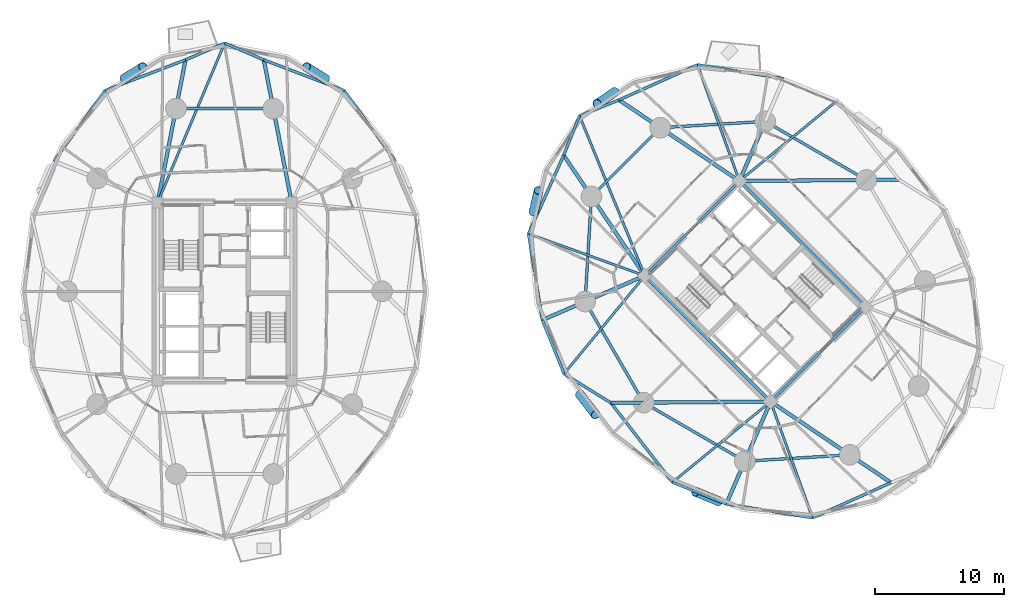
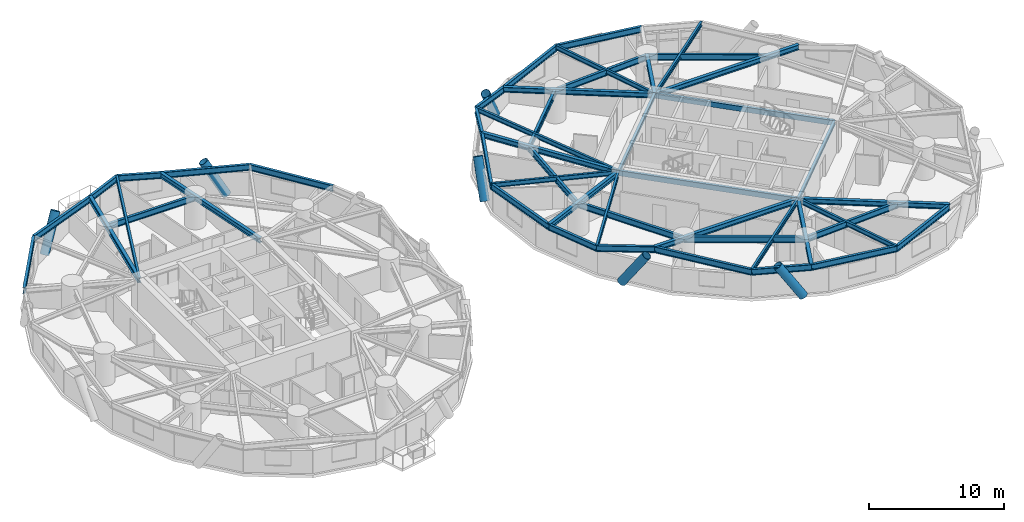
# One storey, part 5 of 19: 49 beams, 6 members.
"""IFC4 building model written with IfcOpenShell, lengths in metres."""

from ifc_helpers import new_model, si_unit, direction, frame, origin, origin_2d, place, context, subcontext, project, spatial, hollow_rectangle, hollow_circle, i_section, extrude, material, material_profile, profile_set, type_object, element, save


model = new_model("IFC4")

# Units and contexts
model_context = context("Model", 3, precision=1e-05, world=origin(), true_north=direction((0.0, 1.0)))
body_context = subcontext(model_context, "Body", "Model", "MODEL_VIEW")
ifc_project = project(units=[si_unit("LENGTHUNIT", "METRE"), si_unit("AREAUNIT", "SQUARE_METRE"), si_unit("VOLUMEUNIT", "CUBIC_METRE"), si_unit("PLANEANGLEUNIT", "RADIAN"), si_unit("MASSUNIT", "GRAM", prefix="KILO")], contexts=[model_context])

# Site, building, storey
site_placement = place(None, origin())
site = spatial("IfcSite", under=ifc_project, at=site_placement, CompositionType="ELEMENT")
building_placement = place(site_placement, origin())
building = spatial("IfcBuilding", under=site, at=building_placement, Name="Cununo Teusaquillo Station Towers", CompositionType="ELEMENT")
storey_placement = place(building_placement, frame((0.0, 0.0, 33.639892578125)))
storey = spatial("IfcBuildingStorey", under=building, at=storey_placement, Name="L09", CompositionType="ELEMENT", Elevation=33.639892578125)

# Beams
ifc_material_1 = material(Name="Steel EN 10025-2 S355J2", Category="steel")
ifc_material_profile_1 = material_profile(ifc_material_1, hollow_rectangle(XDim=0.25, YDim=0.449951171875, WallThickness=0.01611328125, at=origin_2d()), Name="RHS 450x250x16")
ifc_profile_set_1 = profile_set([ifc_material_profile_1], Name="Steel EN 10025-2 S355J2")
beam_type_1 = type_object("IfcBeamType", Name="BM-COUP-1", PredefinedType="USERDEFINED", material=ifc_profile_set_1)
for number, where, z_axis, x_axis, name in (
    (1, (58.70556640625, 15.975830078125, 2.425048828125), (-0.707106781187, 0.707106781187, 0.0), (-0.707106781187, -0.707106781187, 0.0), "L09 Tower B Core Beam 1"),
    (2, (66.024169921875, 23.29443359375, 2.425048828125), (-0.707106781187, 0.707106781187, 0.0), (-0.707106781187, -0.707106781187, 0.0), "L09 Tower B Core Beam 2"),
):
    element("IfcBeam", number, at=place(storey_placement, frame(where, z_axis=z_axis, x_axis=x_axis)), inside=storey, type_object=beam_type_1, Name=name, ObjectType="COUPLING BEAM", PredefinedType="USERDEFINED", context=body_context, shape_type="SweptSolid", body=[
        extrude(hollow_rectangle(XDim=0.25, YDim=0.449951171875, WallThickness=0.01611328125, at=origin_2d()), origin(), (0.0, 0.0, 1.0), 13.760009765625),
    ])
ifc_material_2 = material(Name="Steel ASTM A572 Grade 50", Category="steel")
ifc_material_profile_2 = material_profile(ifc_material_2, i_section(OverallWidth=0.180908203125, OverallDepth=0.4169921875, WebThickness=0.010986328125, FlangeThickness=0.018310546875, FilletRadius=0.012939453125, at=origin_2d()), Name="W16X57")
ifc_profile_set_2 = profile_set([ifc_material_profile_2], Name="Steel ASTM A572 Grade 50")
beam_type_2 = type_object("IfcBeamType", Name="BM-JOIST-1", PredefinedType="JOIST", material=ifc_profile_set_2)
beam_1_placement = place(storey_placement, frame((11.324951171875, 31.3798828125, 2.441650390625), z_axis=(0.387539558454, 0.92185307432, 0.0), x_axis=(-0.92185307432, 0.387539558454, 0.0)))
element("IfcBeam", 3, at=beam_1_placement, inside=storey, type_object=beam_type_2, Name="L09 Tower A Radial Spandrel Joist V05", PredefinedType="JOIST", context=body_context, shape_type="SweptSolid", body=[
    extrude(i_section(OverallWidth=0.180908203125, OverallDepth=0.4169921875, WebThickness=0.010986328125, FlangeThickness=0.018310546875, FilletRadius=0.012939453125, at=origin_2d()), origin(), (0.0, 0.0, 1.0), 13.353515625),
])
beam_2_placement = place(storey_placement, frame((56.29443359375, 33.024169921875, 2.441650390625), z_axis=(0.772192093976, 0.635389148475, 0.0), x_axis=(-0.635389148475, 0.772192093976, 0.0)))
element("IfcBeam", 4, at=beam_2_placement, inside=storey, type_object=beam_type_2, Name="L09 Tower B Radial Spandrel Joist V01", PredefinedType="JOIST", context=body_context, shape_type="SweptSolid", body=[
    extrude(i_section(OverallWidth=0.180908203125, OverallDepth=0.4169921875, WebThickness=0.010986328125, FlangeThickness=0.018310546875, FilletRadius=0.012939453125, at=origin_2d()), origin(), (0.0, 0.0, 1.0), 9.82080078125),
])
beam_3_placement = place(storey_placement, frame((56.29443359375, 33.024169921875, 2.441650390625), z_axis=(-0.33906787056, 0.940761914171, 0.0), x_axis=(-0.940761914171, -0.33906787056, 0.0)))
element("IfcBeam", 5, at=beam_3_placement, inside=storey, type_object=beam_type_2, Name="L09 Tower B Radial Spandrel Joist V03", PredefinedType="JOIST", context=body_context, shape_type="SweptSolid", body=[
    extrude(i_section(OverallWidth=0.180908203125, OverallDepth=0.4169921875, WebThickness=0.010986328125, FlangeThickness=0.018310546875, FilletRadius=0.012939453125, at=origin_2d()), origin(), (0.0, 0.0, 1.0), 9.552734375),
])
beam_4_placement = place(storey_placement, frame((48.975830078125, 25.70556640625, 2.441650390625), z_axis=(-0.377815437796, 0.92588092915, 0.0), x_axis=(-0.92588092915, -0.377815437796, 0.0)))
element("IfcBeam", 6, at=beam_4_placement, inside=storey, type_object=beam_type_2, Name="L09 Tower B Radial Spandrel Joist V05", PredefinedType="JOIST", context=body_context, shape_type="SweptSolid", body=[
    extrude(i_section(OverallWidth=0.180908203125, OverallDepth=0.4169921875, WebThickness=0.010986328125, FlangeThickness=0.018310546875, FilletRadius=0.012939453125, at=origin_2d()), origin(), (0.0, 0.0, 1.0), 13.353515625),
])
beam_5_placement = place(storey_placement, frame((48.975830078125, 25.70556640625, 2.441650390625), z_axis=(-0.940761914171, 0.33906787056, 0.0), x_axis=(-0.33906787056, -0.940761914171, 0.0)))
element("IfcBeam", 7, at=beam_5_placement, inside=storey, type_object=beam_type_2, Name="L09 Tower B Radial Spandrel Joist V07", PredefinedType="JOIST", context=body_context, shape_type="SweptSolid", body=[
    extrude(i_section(OverallWidth=0.180908203125, OverallDepth=0.4169921875, WebThickness=0.010986328125, FlangeThickness=0.018310546875, FilletRadius=0.012939453125, at=origin_2d()), origin(), (0.0, 0.0, 1.0), 9.552734375),
])
for number, where, z_axis, x_axis, name in (
    (8, (48.975830078125, 25.70556640625, 2.441650390625), (-0.635389148475, -0.772192093976, 0.0), (0.772192093976, -0.635389148475, 0.0), "L09 Tower B Radial Spandrel Joist V09"),
    (9, (58.70556640625, 15.975830078125, 2.441650390625), (-0.772192093976, -0.635389148475, 0.0), (0.635389148475, -0.772192093976, 0.0), "L09 Tower B Radial Spandrel Joist V11"),
):
    element("IfcBeam", number, at=place(storey_placement, frame(where, z_axis=z_axis, x_axis=x_axis)), inside=storey, type_object=beam_type_2, Name=name, PredefinedType="JOIST", context=body_context, shape_type="SweptSolid", body=[
        extrude(i_section(OverallWidth=0.180908203125, OverallDepth=0.4169921875, WebThickness=0.010986328125, FlangeThickness=0.018310546875, FilletRadius=0.012939453125, at=origin_2d()), origin(), (0.0, 0.0, 1.0), 9.82080078125),
    ])
beam_6_placement = place(storey_placement, frame((58.70556640625, 15.975830078125, 2.441650390625), z_axis=(0.33906787056, -0.940761914171, 0.0), x_axis=(0.940761914171, 0.33906787056, 0.0)))
element("IfcBeam", 10, at=beam_6_placement, inside=storey, type_object=beam_type_2, Name="L09 Tower B Radial Spandrel Joist V13", PredefinedType="JOIST", context=body_context, shape_type="SweptSolid", body=[
    extrude(i_section(OverallWidth=0.180908203125, OverallDepth=0.4169921875, WebThickness=0.010986328125, FlangeThickness=0.018310546875, FilletRadius=0.012939453125, at=origin_2d()), origin(), (0.0, 0.0, 1.0), 9.552734375),
])
ifc_material_3 = material(Name="Steel ASTM A572 Grade 50", Category="steel")
ifc_material_profile_3 = material_profile(ifc_material_3, i_section(OverallWidth=0.2041015625, OverallDepth=0.35009765625, WebThickness=0.008544921875, FlangeThickness=0.01513671875, FilletRadius=0.011962890625, at=origin_2d()), Name="W14X48")
ifc_profile_set_3 = profile_set([ifc_material_profile_3], Name="Steel ASTM A572 Grade 50")
beam_type_3 = type_object("IfcBeamType", Name="BM-LINTEL-1", PredefinedType="LINTEL", material=ifc_profile_set_3)
for number, where, z_axis, x_axis, name in (
    (11, (58.70556640625, 15.975830078125, 2.47509765625), (0.707106781187, 0.707106781187, 0.0), (-0.707106781187, 0.707106781187, 0.0), "L09 Tower B Core Beam 3"),
    (12, (48.975830078125, 25.70556640625, 2.47509765625), (0.707106781187, 0.707106781187, 0.0), (-0.707106781187, 0.707106781187, 0.0), "L09 Tower B Core Beam 4"),
):
    element("IfcBeam", number, at=place(storey_placement, frame(where, z_axis=z_axis, x_axis=x_axis)), inside=storey, type_object=beam_type_3, Name=name, PredefinedType="LINTEL", context=body_context, shape_type="SweptSolid", body=[
        extrude(i_section(OverallWidth=0.2041015625, OverallDepth=0.35009765625, WebThickness=0.008544921875, FlangeThickness=0.01513671875, FilletRadius=0.011962890625, at=origin_2d()), origin(), (0.0, 0.0, 1.0), 10.35009765625),
    ])
ifc_material_4 = material(Name="Steel ASTM A572 Grade 50", Category="steel")
ifc_material_profile_4 = material_profile(ifc_material_4, i_section(OverallWidth=0.280029296875, OverallDepth=0.462890625, WebThickness=0.0107421875, FlangeThickness=0.017333984375, FilletRadius=0.013916015625, at=origin_2d()), Name="W18X76")
ifc_profile_set_4 = profile_set([ifc_material_profile_4], Name="Steel ASTM A572 Grade 50")
beam_type_4 = type_object("IfcBeamType", Name="BM-RAD-G1", PredefinedType="BEAM", material=ifc_profile_set_4)
for number, where, z_axis, x_axis, name in (
    (13, (21.675048828125, 31.3798828125, 2.418701171875), (-0.191549210283, 0.981483010571, 0.0), (-0.981483010571, -0.191549210283, 0.0), "L09 Tower A Continuous Overhanging Radial Girder 03"),
    (14, (11.324951171875, 31.3798828125, 2.418701171875), (0.191549210283, 0.981483010571, 0.0), (-0.981483010571, 0.191549210283, 0.0), "L09 Tower A Continuous Overhanging Radial Girder 04"),
):
    element("IfcBeam", number, at=place(storey_placement, frame(where, z_axis=z_axis, x_axis=x_axis)), inside=storey, type_object=beam_type_4, Name=name, PredefinedType="BEAM", context=body_context, shape_type="SweptSolid", body=[
        extrude(i_section(OverallWidth=0.280029296875, OverallDepth=0.462890625, WebThickness=0.0107421875, FlangeThickness=0.017333984375, FilletRadius=0.013916015625, at=origin_2d()), origin(), (0.0, 0.0, 1.0), 11.22119140625),
    ])
beam_7_placement = place(storey_placement, frame((56.29443359375, 33.024169921875, 2.418701171875), z_axis=(0.999964326722, 0.008446613668, 0.0), x_axis=(-0.008446613668, 0.999964326722, 0.0)))
element("IfcBeam", 15, at=beam_7_placement, inside=storey, type_object=beam_type_4, Name="L09 Tower B Continuous Overhanging Radial Girder 01", PredefinedType="BEAM", context=body_context, shape_type="SweptSolid", body=[
    extrude(i_section(OverallWidth=0.280029296875, OverallDepth=0.462890625, WebThickness=0.0107421875, FlangeThickness=0.017333984375, FilletRadius=0.013916015625, at=origin_2d()), origin(), (0.0, 0.0, 1.0), 12.342041015625),
])
beam_8_placement = place(storey_placement, frame((56.29443359375, 33.024169921875, 2.418701171875), z_axis=(0.397346986387, 0.917668443616, 0.0), x_axis=(-0.917668443616, 0.397346986387, 0.0)))
element("IfcBeam", 16, at=beam_8_placement, inside=storey, type_object=beam_type_4, Name="L09 Tower B Radial Girder 02A", PredefinedType="BEAM", context=body_context, shape_type="SweptSolid", body=[
    extrude(i_section(OverallWidth=0.280029296875, OverallDepth=0.462890625, WebThickness=0.0107421875, FlangeThickness=0.017333984375, FilletRadius=0.013916015625, at=origin_2d()), origin(), (0.0, 0.0, 1.0), 5.02490234375),
])
for number, where, z_axis, x_axis, name in (
    (17, (56.29443359375, 33.024169921875, 2.418701171875), (-0.829460584667, 0.558565249978, 0.0), (-0.558565249978, -0.829460584667, 0.0), "L09 Tower B Continuous Overhanging Radial Girder 03"),
    (18, (48.975830078125, 25.70556640625, 2.418701171875), (-0.558565249978, 0.829460584667, 0.0), (-0.829460584667, -0.558565249978, 0.0), "L09 Tower B Continuous Overhanging Radial Girder 04"),
):
    element("IfcBeam", number, at=place(storey_placement, frame(where, z_axis=z_axis, x_axis=x_axis)), inside=storey, type_object=beam_type_4, Name=name, PredefinedType="BEAM", context=body_context, shape_type="SweptSolid", body=[
        extrude(i_section(OverallWidth=0.280029296875, OverallDepth=0.462890625, WebThickness=0.0107421875, FlangeThickness=0.017333984375, FilletRadius=0.013916015625, at=origin_2d()), origin(), (0.0, 0.0, 1.0), 11.22119140625),
    ])
beam_9_placement = place(storey_placement, frame((48.975830078125, 25.70556640625, 2.418701171875), z_axis=(-0.91765947108, -0.397367707718, 0.0), x_axis=(0.397367707718, -0.91765947108, 0.0)))
element("IfcBeam", 19, at=beam_9_placement, inside=storey, type_object=beam_type_4, Name="L09 Tower B Continuous Overhanging Radial Girder 05", PredefinedType="BEAM", context=body_context, shape_type="SweptSolid", body=[
    extrude(i_section(OverallWidth=0.280029296875, OverallDepth=0.462890625, WebThickness=0.0107421875, FlangeThickness=0.017333984375, FilletRadius=0.013916015625, at=origin_2d()), origin(), (0.0, 0.0, 1.0), 8.631591796875),
])
beam_10_placement = place(storey_placement, frame((58.70556640625, 15.975830078125, 2.418701171875), z_axis=(-0.999964431382, -0.008434214327, 0.0), x_axis=(0.008434214327, -0.999964431382, 0.0)))
element("IfcBeam", 20, at=beam_10_placement, inside=storey, type_object=beam_type_4, Name="L09 Tower B Radial Girder 06A", PredefinedType="BEAM", context=body_context, shape_type="SweptSolid", body=[
    extrude(i_section(OverallWidth=0.280029296875, OverallDepth=0.462890625, WebThickness=0.0107421875, FlangeThickness=0.017333984375, FilletRadius=0.013916015625, at=origin_2d()), origin(), (0.0, 0.0, 1.0), 9.812744140625),
])
beam_11_placement = place(storey_placement, frame((48.89306640625, 15.89306640625, 2.418701171875), z_axis=(-0.999963919198, -0.00849472197, 0.0), x_axis=(0.00849472197, -0.999963919198, 0.0)))
element("IfcBeam", 21, at=beam_11_placement, inside=storey, type_object=beam_type_4, Name="L09 Tower B Perimeter Overhang Girder 06B", PredefinedType="BEAM", context=body_context, shape_type="SweptSolid", body=[
    extrude(i_section(OverallWidth=0.280029296875, OverallDepth=0.462890625, WebThickness=0.0107421875, FlangeThickness=0.017333984375, FilletRadius=0.013916015625, at=origin_2d()), origin(), (0.0, 0.0, 1.0), 2.529052734375),
])
beam_12_placement = place(storey_placement, frame((58.70556640625, 15.975830078125, 2.418701171875), z_axis=(-0.397367707718, -0.91765947108, 0.0), x_axis=(0.91765947108, -0.397367707718, 0.0)))
element("IfcBeam", 22, at=beam_12_placement, inside=storey, type_object=beam_type_4, Name="L09 Tower B Continuous Overhanging Radial Girder 07", PredefinedType="BEAM", context=body_context, shape_type="SweptSolid", body=[
    extrude(i_section(OverallWidth=0.280029296875, OverallDepth=0.462890625, WebThickness=0.0107421875, FlangeThickness=0.017333984375, FilletRadius=0.013916015625, at=origin_2d()), origin(), (0.0, 0.0, 1.0), 8.631591796875),
])
beam_13_placement = place(storey_placement, frame((58.70556640625, 15.975830078125, 2.418701171875), z_axis=(0.829460584667, -0.558565249978, 0.0), x_axis=(0.558565249978, 0.829460584667, 0.0)))
element("IfcBeam", 23, at=beam_13_placement, inside=storey, type_object=beam_type_4, Name="L09 Tower B Continuous Overhanging Radial Girder 08", PredefinedType="BEAM", context=body_context, shape_type="SweptSolid", body=[
    extrude(i_section(OverallWidth=0.280029296875, OverallDepth=0.462890625, WebThickness=0.0107421875, FlangeThickness=0.017333984375, FilletRadius=0.013916015625, at=origin_2d()), origin(), (0.0, 0.0, 1.0), 11.22119140625),
])
ifc_material_5 = material(Name="Steel ASTM A572 Grade 50", Category="steel")
ifc_material_profile_5 = material_profile(ifc_material_5, i_section(OverallWidth=0.214111328125, OverallDepth=0.549072265625, WebThickness=0.0146484375, FlangeThickness=0.023681640625, FilletRadius=0.014892578125, at=origin_2d()), Name="W21X93")
ifc_profile_set_5 = profile_set([ifc_material_profile_5], Name="Steel ASTM A572 Grade 50")
beam_type_5 = type_object("IfcBeamType", Name="BM-RING-Z1", PredefinedType="SPANDREL", material=ifc_profile_set_5)
beam_14_placement = place(storey_placement, frame((20.261474609375, 38.623291015625, 2.37548828125), z_axis=(-1.0, 0.0, 0.0), x_axis=(0.0, -1.0, 0.0)))
element("IfcBeam", 24, at=beam_14_placement, inside=storey, type_object=beam_type_5, Name="L09 Tower A Structural Column Ring Girder 03", PredefinedType="SPANDREL", context=body_context, shape_type="SweptSolid", body=[
    extrude(i_section(OverallWidth=0.214111328125, OverallDepth=0.549072265625, WebThickness=0.0146484375, FlangeThickness=0.023681640625, FilletRadius=0.014892578125, at=origin_2d()), origin(), (0.0, 0.0, 1.0), 7.52294921875),
])
beam_15_placement = place(storey_placement, frame((29.701171875, 34.555419921875, 2.37548828125), z_axis=(-0.586607937648, 0.809871056087, 0.0), x_axis=(-0.809871056087, -0.586607937648, 0.0)))
element("IfcBeam", 25, at=beam_15_placement, inside=storey, type_object=beam_type_5, Name="L09 Tower A Spandrel Ring Beam 03", PredefinedType="SPANDREL", context=body_context, shape_type="SweptSolid", body=[
    extrude(i_section(OverallWidth=0.214111328125, OverallDepth=0.549072265625, WebThickness=0.0146484375, FlangeThickness=0.023681640625, FilletRadius=0.014892578125, at=origin_2d()), origin(), (0.0, 0.0, 1.0), 6.75341796875),
])
beam_16_placement = place(storey_placement, frame((25.739501953125, 40.02490234375, 2.37548828125), z_axis=(-0.934426653529, 0.356155624937, 0.0), x_axis=(-0.356155624937, -0.934426653529, 0.0)))
element("IfcBeam", 26, at=beam_16_placement, inside=storey, type_object=beam_type_5, Name="L09 Tower A Spandrel Ring Beam 04", PredefinedType="SPANDREL", context=body_context, shape_type="SweptSolid", body=[
    extrude(i_section(OverallWidth=0.214111328125, OverallDepth=0.549072265625, WebThickness=0.0146484375, FlangeThickness=0.023681640625, FilletRadius=0.014892578125, at=origin_2d()), origin(), (0.0, 0.0, 1.0), 6.64990234375),
])
for number, where, z_axis, x_axis, name in (
    (27, (19.525634765625, 42.393310546875, 2.37548828125), (-0.919152702301, 0.393901396104, 0.0), (-0.393901396104, -0.919152702301, 0.0), "L09 Tower A Spandrel Ring Beam 05"),
    (28, (16.5, 43.68994140625, 2.37548828125), (-0.919152702301, -0.393901396104, 0.0), (0.393901396104, -0.919152702301, 0.0), "L09 Tower A Spandrel Ring Beam 06"),
):
    element("IfcBeam", number, at=place(storey_placement, frame(where, z_axis=z_axis, x_axis=x_axis)), inside=storey, type_object=beam_type_5, Name=name, PredefinedType="SPANDREL", context=body_context, shape_type="SweptSolid", body=[
        extrude(i_section(OverallWidth=0.214111328125, OverallDepth=0.549072265625, WebThickness=0.0146484375, FlangeThickness=0.023681640625, FilletRadius=0.014892578125, at=origin_2d()), origin(), (0.0, 0.0, 1.0), 3.291748046875),
    ])
beam_17_placement = place(storey_placement, frame((13.474365234375, 42.393310546875, 2.37548828125), z_axis=(-0.934426653529, -0.356155624937, 0.0), x_axis=(0.356155624937, -0.934426653529, 0.0)))
element("IfcBeam", 29, at=beam_17_placement, inside=storey, type_object=beam_type_5, Name="L09 Tower A Spandrel Ring Beam 07", PredefinedType="SPANDREL", context=body_context, shape_type="SweptSolid", body=[
    extrude(i_section(OverallWidth=0.214111328125, OverallDepth=0.549072265625, WebThickness=0.0146484375, FlangeThickness=0.023681640625, FilletRadius=0.014892578125, at=origin_2d()), origin(), (0.0, 0.0, 1.0), 6.64990234375),
])
beam_18_placement = place(storey_placement, frame((7.260498046875, 40.02490234375, 2.37548828125), z_axis=(-0.586607937648, -0.809871056087, 0.0), x_axis=(0.809871056087, -0.586607937648, 0.0)))
element("IfcBeam", 30, at=beam_18_placement, inside=storey, type_object=beam_type_5, Name="L09 Tower A Spandrel Ring Beam 08", PredefinedType="SPANDREL", context=body_context, shape_type="SweptSolid", body=[
    extrude(i_section(OverallWidth=0.214111328125, OverallDepth=0.549072265625, WebThickness=0.0146484375, FlangeThickness=0.023681640625, FilletRadius=0.014892578125, at=origin_2d()), origin(), (0.0, 0.0, 1.0), 6.75341796875),
])
beam_19_placement = place(storey_placement, frame((66.10693359375, 33.10693359375, 2.37548828125), z_axis=(-0.865267103202, 0.501311121078, 0.0), x_axis=(-0.501311121078, -0.865267103202, 0.0)))
element("IfcBeam", 31, at=beam_19_placement, inside=storey, type_object=beam_type_5, Name="L09 Tower B Structural Column Ring Girder 01", PredefinedType="SPANDREL", context=body_context, shape_type="SweptSolid", body=[
    extrude(i_section(OverallWidth=0.214111328125, OverallDepth=0.549072265625, WebThickness=0.0146484375, FlangeThickness=0.023681640625, FilletRadius=0.014892578125, at=origin_2d()), origin(), (0.0, 0.0, 1.0), 9.032958984375),
])
beam_20_placement = place(storey_placement, frame((58.291015625, 37.63525390625, 2.37548828125), z_axis=(-0.998190567048, -0.06012979176, 0.0), x_axis=(0.06012979176, -0.998190567048, 0.0)))
element("IfcBeam", 32, at=beam_20_placement, inside=storey, type_object=beam_type_5, Name="L09 Tower B Structural Column Ring Girder 02", PredefinedType="SPANDREL", context=body_context, shape_type="SweptSolid", body=[
    extrude(i_section(OverallWidth=0.214111328125, OverallDepth=0.549072265625, WebThickness=0.0146484375, FlangeThickness=0.023681640625, FilletRadius=0.014892578125, at=origin_2d()), origin(), (0.0, 0.0, 1.0), 8.132568359375),
])
beam_21_placement = place(storey_placement, frame((50.173095703125, 37.146240234375, 2.37548828125), z_axis=(-0.707106781187, -0.707106781187, 0.0), x_axis=(0.707106781187, -0.707106781187, 0.0)))
element("IfcBeam", 33, at=beam_21_placement, inside=storey, type_object=beam_type_5, Name="L09 Tower B Structural Column Ring Girder 03", PredefinedType="SPANDREL", context=body_context, shape_type="SweptSolid", body=[
    extrude(i_section(OverallWidth=0.214111328125, OverallDepth=0.549072265625, WebThickness=0.0146484375, FlangeThickness=0.023681640625, FilletRadius=0.014892578125, at=origin_2d()), origin(), (0.0, 0.0, 1.0), 7.522705078125),
])
beam_22_placement = place(storey_placement, frame((44.853759765625, 31.826904296875, 2.37548828125), z_axis=(-0.06012979176, -0.998190567048, 0.0), x_axis=(0.998190567048, -0.06012979176, 0.0)))
element("IfcBeam", 34, at=beam_22_placement, inside=storey, type_object=beam_type_5, Name="L09 Tower B Structural Column Ring Girder 04", PredefinedType="SPANDREL", context=body_context, shape_type="SweptSolid", body=[
    extrude(i_section(OverallWidth=0.214111328125, OverallDepth=0.549072265625, WebThickness=0.0146484375, FlangeThickness=0.023681640625, FilletRadius=0.014892578125, at=origin_2d()), origin(), (0.0, 0.0, 1.0), 8.132568359375),
])
for number, where, z_axis, x_axis, name in (
    (35, (44.36474609375, 23.708984375, 2.37548828125), (0.501311121078, -0.865267103202, 0.0), (0.865267103202, 0.501311121078, 0.0), "L09 Tower B Structural Column Ring Girder 05"),
    (36, (48.89306640625, 15.89306640625, 2.37548828125), (0.865267103202, -0.501311121078, 0.0), (0.501311121078, 0.865267103202, 0.0), "L09 Tower B Structural Column Ring Girder 06"),
):
    element("IfcBeam", number, at=place(storey_placement, frame(where, z_axis=z_axis, x_axis=x_axis)), inside=storey, type_object=beam_type_5, Name=name, PredefinedType="SPANDREL", context=body_context, shape_type="SweptSolid", body=[
        extrude(i_section(OverallWidth=0.214111328125, OverallDepth=0.549072265625, WebThickness=0.0146484375, FlangeThickness=0.023681640625, FilletRadius=0.014892578125, at=origin_2d()), origin(), (0.0, 0.0, 1.0), 9.032958984375),
    ])
beam_23_placement = place(storey_placement, frame((56.708984375, 11.36474609375, 2.37548828125), z_axis=(0.998190567048, 0.06012979176, 0.0), x_axis=(-0.06012979176, 0.998190567048, 0.0)))
element("IfcBeam", 37, at=beam_23_placement, inside=storey, type_object=beam_type_5, Name="L09 Tower B Structural Column Ring Girder 07", PredefinedType="SPANDREL", context=body_context, shape_type="SweptSolid", body=[
    extrude(i_section(OverallWidth=0.214111328125, OverallDepth=0.549072265625, WebThickness=0.0146484375, FlangeThickness=0.023681640625, FilletRadius=0.014892578125, at=origin_2d()), origin(), (0.0, 0.0, 1.0), 8.132568359375),
])
beam_24_placement = place(storey_placement, frame((59.724365234375, 40.945068359375, 2.37548828125), z_axis=(-0.987466335344, 0.157829770834, 0.0), x_axis=(-0.157829770834, -0.987466335344, 0.0)))
element("IfcBeam", 38, at=beam_24_placement, inside=storey, type_object=beam_type_5, Name="L09 Tower B Spandrel Ring Beam 03", PredefinedType="SPANDREL", context=body_context, shape_type="SweptSolid", body=[
    extrude(i_section(OverallWidth=0.214111328125, OverallDepth=0.549072265625, WebThickness=0.0146484375, FlangeThickness=0.023681640625, FilletRadius=0.014892578125, at=origin_2d()), origin(), (0.0, 0.0, 1.0), 6.753662109375),
])
beam_25_placement = place(storey_placement, frame((53.055419921875, 42.010986328125, 2.37548828125), z_axis=(-0.912588695836, -0.408878798951, 0.0), x_axis=(0.408878798951, -0.912588695836, 0.0)))
element("IfcBeam", 39, at=beam_25_placement, inside=storey, type_object=beam_type_5, Name="L09 Tower B Spandrel Ring Beam 04", PredefinedType="SPANDREL", context=body_context, shape_type="SweptSolid", body=[
    extrude(i_section(OverallWidth=0.214111328125, OverallDepth=0.549072265625, WebThickness=0.0146484375, FlangeThickness=0.023681640625, FilletRadius=0.014892578125, at=origin_2d()), origin(), (0.0, 0.0, 1.0), 6.64990234375),
])
for number, where, z_axis, x_axis, name in (
    (40, (46.98681640625, 39.2919921875, 2.37548828125), (-0.928456228871, -0.371441827304, 0.0), (0.371441827304, -0.928456228871, 0.0), "L09 Tower B Spandrel Ring Beam 05"),
    (41, (43.9306640625, 38.0693359375, 2.37548828125), (-0.371441827304, -0.928456228871, 0.0), (0.928456228871, -0.371441827304, 0.0), "L09 Tower B Spandrel Ring Beam 06"),
):
    element("IfcBeam", number, at=place(storey_placement, frame(where, z_axis=z_axis, x_axis=x_axis)), inside=storey, type_object=beam_type_5, Name=name, PredefinedType="SPANDREL", context=body_context, shape_type="SweptSolid", body=[
        extrude(i_section(OverallWidth=0.214111328125, OverallDepth=0.549072265625, WebThickness=0.0146484375, FlangeThickness=0.023681640625, FilletRadius=0.014892578125, at=origin_2d()), origin(), (0.0, 0.0, 1.0), 3.291748046875),
    ])
beam_26_placement = place(storey_placement, frame((42.7080078125, 35.01318359375, 2.37548828125), z_axis=(-0.408878798951, -0.912588695836, 0.0), x_axis=(0.912588695836, -0.408878798951, 0.0)))
element("IfcBeam", 42, at=beam_26_placement, inside=storey, type_object=beam_type_5, Name="L09 Tower B Spandrel Ring Beam 07", PredefinedType="SPANDREL", context=body_context, shape_type="SweptSolid", body=[
    extrude(i_section(OverallWidth=0.214111328125, OverallDepth=0.549072265625, WebThickness=0.0146484375, FlangeThickness=0.023681640625, FilletRadius=0.014892578125, at=origin_2d()), origin(), (0.0, 0.0, 1.0), 6.64990234375),
])
beam_27_placement = place(storey_placement, frame((39.989013671875, 28.944580078125, 2.37548828125), z_axis=(0.157829770834, -0.987466335344, 0.0), x_axis=(0.987466335344, 0.157829770834, 0.0)))
element("IfcBeam", 43, at=beam_27_placement, inside=storey, type_object=beam_type_5, Name="L09 Tower B Spandrel Ring Beam 08", PredefinedType="SPANDREL", context=body_context, shape_type="SweptSolid", body=[
    extrude(i_section(OverallWidth=0.214111328125, OverallDepth=0.549072265625, WebThickness=0.0146484375, FlangeThickness=0.023681640625, FilletRadius=0.014892578125, at=origin_2d()), origin(), (0.0, 0.0, 1.0), 6.753662109375),
])
beam_28_placement = place(storey_placement, frame((41.054931640625, 22.275634765625, 2.37548828125), z_axis=(0.375135909025, -0.926969821386, 0.0), x_axis=(0.926969821386, 0.375135909025, 0.0)))
element("IfcBeam", 44, at=beam_28_placement, inside=storey, type_object=beam_type_5, Name="L09 Tower B Spandrel Ring Beam 09", PredefinedType="SPANDREL", context=body_context, shape_type="SweptSolid", body=[
    extrude(i_section(OverallWidth=0.214111328125, OverallDepth=0.549072265625, WebThickness=0.0146484375, FlangeThickness=0.023681640625, FilletRadius=0.014892578125, at=origin_2d()), origin(), (0.0, 0.0, 1.0), 4.480712890625),
])
beam_29_placement = place(storey_placement, frame((42.73583984375, 18.1220703125, 2.37548828125), z_axis=(0.849795627585, -0.527112313779, 0.0), x_axis=(0.527112313779, 0.849795627585, 0.0)))
element("IfcBeam", 45, at=beam_29_placement, inside=storey, type_object=beam_type_5, Name="L09 Tower B Spandrel Ring Beam 10", PredefinedType="SPANDREL", context=body_context, shape_type="SweptSolid", body=[
    extrude(i_section(OverallWidth=0.214111328125, OverallDepth=0.549072265625, WebThickness=0.0146484375, FlangeThickness=0.023681640625, FilletRadius=0.014892578125, at=origin_2d()), origin(), (0.0, 0.0, 1.0), 4.26953125),
])
beam_30_placement = place(storey_placement, frame((46.364013671875, 15.87158203125, 2.37548828125), z_axis=(0.612801480015, -0.790236892388, 0.0), x_axis=(0.790236892388, 0.612801480015, 0.0)))
element("IfcBeam", 46, at=beam_30_placement, inside=storey, type_object=beam_type_5, Name="L09 Tower B Spandrel Ring Beam 11", PredefinedType="SPANDREL", context=body_context, shape_type="SweptSolid", body=[
    extrude(i_section(OverallWidth=0.214111328125, OverallDepth=0.549072265625, WebThickness=0.0146484375, FlangeThickness=0.023681640625, FilletRadius=0.014892578125, at=origin_2d()), origin(), (0.0, 0.0, 1.0), 7.764404296875),
])
beam_31_placement = place(storey_placement, frame((51.1220703125, 9.73583984375, 2.37548828125), z_axis=(0.926969821386, -0.375135909025, 0.0), x_axis=(0.375135909025, 0.926969821386, 0.0)))
element("IfcBeam", 47, at=beam_31_placement, inside=storey, type_object=beam_type_5, Name="L09 Tower B Spandrel Ring Beam 12", PredefinedType="SPANDREL", context=body_context, shape_type="SweptSolid", body=[
    extrude(i_section(OverallWidth=0.214111328125, OverallDepth=0.549072265625, WebThickness=0.0146484375, FlangeThickness=0.023681640625, FilletRadius=0.014892578125, at=origin_2d()), origin(), (0.0, 0.0, 1.0), 4.480712890625),
])
beam_32_placement = place(storey_placement, frame((55.275634765625, 8.054931640625, 2.37548828125), z_axis=(0.987466335344, -0.157829770834, 0.0), x_axis=(0.157829770834, 0.987466335344, 0.0)))
element("IfcBeam", 48, at=beam_32_placement, inside=storey, type_object=beam_type_5, Name="L09 Tower B Spandrel Ring Beam 13", PredefinedType="SPANDREL", context=body_context, shape_type="SweptSolid", body=[
    extrude(i_section(OverallWidth=0.214111328125, OverallDepth=0.549072265625, WebThickness=0.0146484375, FlangeThickness=0.023681640625, FilletRadius=0.014892578125, at=origin_2d()), origin(), (0.0, 0.0, 1.0), 6.753662109375),
])
beam_33_placement = place(storey_placement, frame((61.944580078125, 6.989013671875, 2.37548828125), z_axis=(0.912588695836, 0.408878798951, 0.0), x_axis=(-0.408878798951, 0.912588695836, 0.0)))
element("IfcBeam", 49, at=beam_33_placement, inside=storey, type_object=beam_type_5, Name="L09 Tower B Spandrel Ring Beam 14", PredefinedType="SPANDREL", context=body_context, shape_type="SweptSolid", body=[
    extrude(i_section(OverallWidth=0.214111328125, OverallDepth=0.549072265625, WebThickness=0.0146484375, FlangeThickness=0.023681640625, FilletRadius=0.014892578125, at=origin_2d()), origin(), (0.0, 0.0, 1.0), 6.64990234375),
])

# Members
ifc_material_6 = material(Name="Steel EN 10025-2 S355J2", Category="steel")
ifc_material_profile_6 = material_profile(ifc_material_6, hollow_circle(Radius=0.360107421875, WallThickness=0.028076171875, at=origin_2d()), Name="CHS 720x28")
ifc_profile_set_6 = profile_set([ifc_material_profile_6], Name="Steel EN 10025-2 S355J2")
member_type = type_object("IfcMemberType", Name="MBR-DIAG-Z1", PredefinedType="BRACE", material=ifc_profile_set_6)
for number, where, z_axis, x_axis, name in (
    (50, (24.27880859375, 40.93359375, -0.139892578125), (-0.432109885705, 0.26881380488, 0.86082529295), (-0.528224584169, -0.849104698303, 0.0), "L09 Tower A Folded-Zigzag Diagrid Tube C03"),
    (51, (8.72119140625, 40.93359375, -0.139892578125), (0.432109885705, 0.26881380488, 0.86082529295), (-0.528224584169, 0.849104698303, 0.0), "L09 Tower A Folded-Zigzag Diagrid Tube C06"),
):
    element("IfcMember", number, at=place(storey_placement, frame(where, z_axis=z_axis, x_axis=x_axis)), inside=storey, type_object=member_type, Name=name, PredefinedType="BRACE", context=body_context, shape_type="SweptSolid", body=[
        extrude(hollow_circle(Radius=0.360107421875, WallThickness=0.028076171875, at=origin_2d()), origin(), (0.0, 0.0, 1.0), 3.38037109375),
    ])
member_1_placement = place(storey_placement, frame((46.6630859375, 39.91650390625, -0.139892578125), z_axis=(-0.408468387245, -0.276132221041, 0.870002628229), x_axis=(0.560052437376, -0.828457160866, 0.0)))
element("IfcMember", 52, at=member_1_placement, inside=storey, type_object=member_type, Name="L09 Tower B Folded-Zigzag Diagrid Tube C04", PredefinedType="BRACE", context=body_context, shape_type="SweptSolid", body=[
    extrude(hollow_circle(Radius=0.360107421875, WallThickness=0.028076171875, at=origin_2d()), origin(), (0.0, 0.0, 1.0), 3.3447265625),
])
member_2_placement = place(storey_placement, frame((40.37939453125, 30.619873046875, -0.139892578125), z_axis=(0.115410822859, 0.495659873141, 0.860814516679), x_axis=(-0.973946828543, 0.226776487252, 0.0)))
element("IfcMember", 53, at=member_2_placement, inside=storey, type_object=member_type, Name="L09 Tower B Folded-Zigzag Diagrid Tube C06", PredefinedType="BRACE", context=body_context, shape_type="SweptSolid", body=[
    extrude(hollow_circle(Radius=0.360107421875, WallThickness=0.028076171875, at=origin_2d()), origin(), (0.0, 0.0, 1.0), 3.38037109375),
])
member_3_placement = place(storey_placement, frame((43.9521484375, 16.543212890625, -0.139892578125), z_axis=(0.344905930844, -0.447692466526, 0.824991729828), x_axis=(0.792173025394, 0.610296565482, 0.0)))
element("IfcMember", 54, at=member_3_placement, inside=storey, type_object=member_type, Name="L09 Tower B Folded-Zigzag Diagrid Tube C09", PredefinedType="BRACE", context=body_context, shape_type="SweptSolid", body=[
    extrude(hollow_circle(Radius=0.360107421875, WallThickness=0.028076171875, at=origin_2d()), origin(), (0.0, 0.0, 1.0), 3.527099609375),
])
member_4_placement = place(storey_placement, frame((54.696533203125, 8.2666015625, -0.139892578125), z_axis=(-0.511678266791, 0.210304590189, 0.83304101378), x_axis=(-0.380152421508, -0.924923854391, 0.0)))
element("IfcMember", 55, at=member_4_placement, inside=storey, type_object=member_type, Name="L09 Tower B Folded-Zigzag Diagrid Tube C11", PredefinedType="BRACE", context=body_context, shape_type="SweptSolid", body=[
    extrude(hollow_circle(Radius=0.360107421875, WallThickness=0.028076171875, at=origin_2d()), origin(), (0.0, 0.0, 1.0), 3.4931640625),
])

save(model, "model.ifc")
